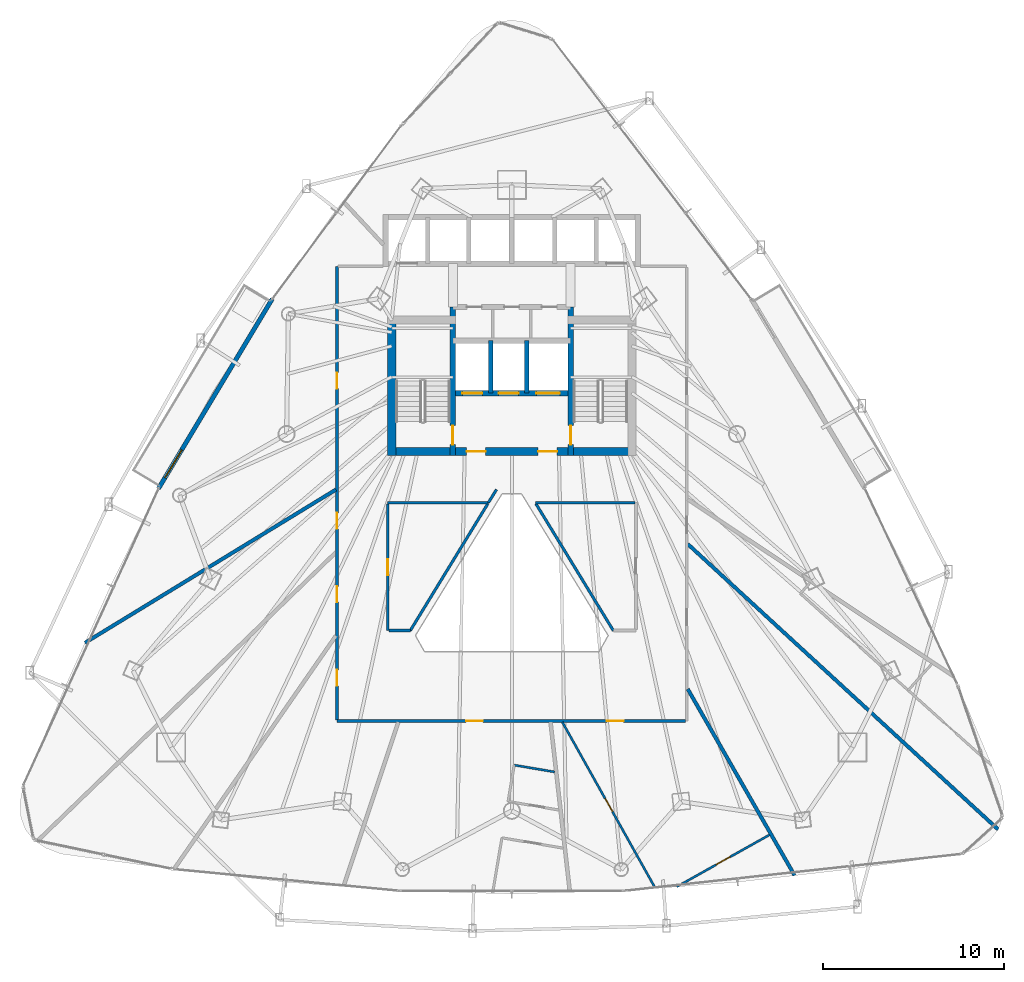
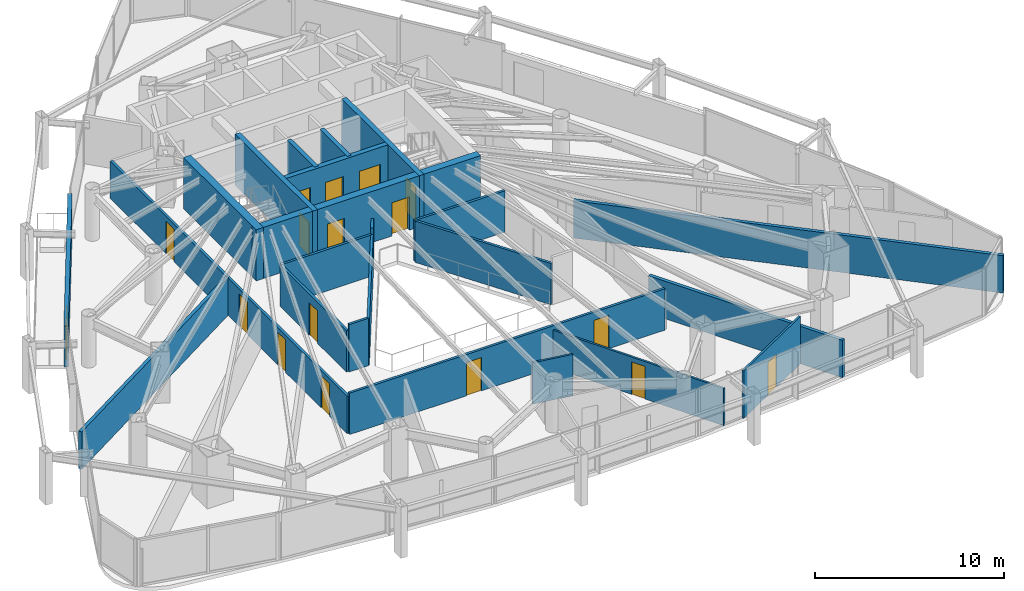
# One storey, part 28 of 33: 23 walls, 17 doors, 17 openings.
"""IFC4 building model written with IfcOpenShell, lengths in metres."""

from ifc_helpers import new_model, si_unit, direction, frame, frame_2d, origin, place, context, subcontext, project, spatial, rectangle, extrude, material, layer, layer_set, type_object, element, fill, save


model = new_model("IFC4")

# Units and contexts
model_context = context("Model", 3, precision=1e-05, world=origin(), true_north=direction((0.0, 1.0)))
body_context = subcontext(model_context, "Body", "Model", "MODEL_VIEW")
ifc_project = project(units=[si_unit("LENGTHUNIT", "METRE"), si_unit("AREAUNIT", "SQUARE_METRE"), si_unit("VOLUMEUNIT", "CUBIC_METRE"), si_unit("PLANEANGLEUNIT", "RADIAN"), si_unit("MASSUNIT", "GRAM", prefix="KILO")], contexts=[model_context])

# Site, building, storey
site_placement = place(None, origin())
site = spatial("IfcSite", under=ifc_project, at=site_placement, CompositionType="ELEMENT")
building_placement = place(site_placement, origin())
building = spatial("IfcBuilding", under=site, at=building_placement, Name="Orvanel Arch Residences", CompositionType="ELEMENT")
storey_placement = place(building_placement, frame((0.0, 0.0, 90.64990234375)))
storey = spatial("IfcBuildingStorey", under=building, at=storey_placement, Name="L25", CompositionType="ELEMENT", Elevation=90.64990234375)

# Wall, opening, door
ifc_material_1 = material(Name="Precast concrete N50 (50 MPa)", Category="concrete")
ifc_layer_1 = layer(ifc_material_1, 0.239990234375)
ifc_layer_set_1 = layer_set([ifc_layer_1], Name="Precast concrete N50 (50 MPa)")
wall_type_1 = type_object("IfcWallType", Name="EW-BAL-240", PredefinedType="SOLIDWALL", material=ifc_layer_set_1)
wall_1_placement = place(storey_placement, frame((19.782958984375, 35.10791015625, 0.0), z_axis=(0.0, 0.0, 1.0), x_axis=(-0.514369419392, -0.857568714678, 0.0)))
wall_1 = element("IfcWall", 1, at=wall_1_placement, inside=storey, type_object=wall_type_1, Name="L25 Balcony Threshold Wall Face 1", PredefinedType="SOLIDWALL", context=body_context, shape_type="SweptSolid", body=[
    extrude(rectangle(XDim=12.220458984375, YDim=0.239990234375, at=frame_2d((6.1103515625, 0.0))), origin(), (0.0, 0.0, 1.0), 2.6240234375),
])
opening_1_placement = place(wall_1_placement, frame((9.722900390625, 0.0, 0.0)))
opening_1 = element("IfcOpeningElement", 2, at=opening_1_placement, cuts=wall_1, Name="Opening DB-180", PredefinedType="OPENING", context=body_context, shape_type="SweptSolid", body=[
    extrude(rectangle(XDim=1.800048828125, YDim=2.199951171875, at=frame_2d((0.89990234375, 1.10009765625))), frame((0.0, 0.1298828125, 0.0), z_axis=(0.0, -1.0, 0.0), x_axis=(1.0, 0.0, 0.0)), (0.0, 0.0, 1.0), 0.260009765625),
])
ifc_material_2 = material(Name="Bronze-anodised aluminium AA6063-T6", Category="aluminium")
door_type_1 = type_object("IfcDoorType", Name="DR-BAL-1800", OperationType="NOTDEFINED", PredefinedType="DOOR", material=ifc_material_2)
door_1_placement = place(opening_1_placement, origin())
door_1 = element("IfcDoor", 3, at=door_1_placement, inside=storey, type_object=door_type_1, Name="DR-L25-BAL-F1 L25 Planted Balcony Access Door Face 1", OperationType="SINGLE_SWING_LEFT", OverallHeight=2.199951171875, OverallWidth=1.800048828125, PredefinedType="DOOR", context=body_context, shape_type="SweptSolid", body=[
    extrude(rectangle(XDim=1.800048828125, YDim=2.199951171875, at=frame_2d((0.89990234375, 1.10009765625))), frame((0.0, 0.02490234375, 0.0), z_axis=(0.0, -1.0, 0.0), x_axis=(1.0, 0.0, 0.0)), (0.0, 0.0, 1.0), 0.050048828125),
])
fill(opening_1, door_1)

# Walls
ifc_material_3 = material(Name="Concrete N50 (50 MPa)", Category="concrete")
ifc_layer_2 = layer(ifc_material_3, 0.25)
ifc_layer_set_2 = layer_set([ifc_layer_2], Name="Concrete N50 (50 MPa)")
wall_type_2 = type_object("IfcWallType", Name="SW-CORE-250", PredefinedType="SHEAR", material=ifc_layer_set_2)
for number, where, z_axis, x_axis, name in (
    (4, (31.824951171875, 29.89990234375, 0.0), (0.0, 0.0, 1.0), (0.0, 1.0, 0.0), "L25 Emergency Lift Inter-Shaft Wall F12"),
    (5, (33.824951171875, 29.89990234375, 0.0), (0.0, 0.0, 1.0), (0.0, 1.0, 0.0), "L25 Emergency Lift Inter-Shaft Wall F2G"),
):
    element("IfcWall", number, at=place(storey_placement, frame(where, z_axis=z_axis, x_axis=x_axis)), inside=storey, type_object=wall_type_2, Name=name, PredefinedType="SHEAR", context=body_context, shape_type="SweptSolid", body=[
        extrude(rectangle(XDim=2.900146484375, YDim=0.25, at=frame_2d((1.4501953125, 0.0))), origin(), (0.0, 0.0, 1.0), 3.300048828125),
    ])

# Wall, opening, door
ifc_material_4 = material(Name="Concrete S80 (80 MPa)", Category="concrete")
ifc_layer_3 = layer(ifc_material_4, 0.300048828125)
ifc_layer_set_3 = layer_set([ifc_layer_3], Name="Concrete S80 (80 MPa)")
wall_type_3 = type_object("IfcWallType", Name="SW-CORE-300", PredefinedType="SHEAR", material=ifc_layer_set_3)
wall_2_placement = place(storey_placement, frame((29.75, 26.449951171875, 0.0), z_axis=(0.0, 0.0, 1.0), x_axis=(0.0, 1.0, 0.0)))
wall_2 = element("IfcWall", 6, at=wall_2_placement, inside=storey, type_object=wall_type_3, Name="L25 West Inner Core Spine Shear Wall", PredefinedType="SHEAR", context=body_context, shape_type="SweptSolid", body=[
    extrude(rectangle(XDim=8.199951171875, YDim=0.300048828125, at=frame_2d((4.10009765625, 0.0))), origin(), (0.0, 0.0, 1.0), 3.300048828125),
])
opening_2_placement = place(wall_2_placement, frame((0.60009765625, 0.0, 0.0)))
opening_2 = element("IfcOpeningElement", 7, at=opening_2_placement, cuts=wall_2, Name="Opening DF-120", PredefinedType="OPENING", context=body_context, shape_type="SweptSolid", body=[
    extrude(rectangle(XDim=1.050048828125, YDim=2.14990234375, at=frame_2d((0.52490234375, 1.074951171875))), frame((0.0, 0.159912109375, 0.0), z_axis=(0.0, -1.0, 0.0), x_axis=(1.0, 0.0, 0.0)), (0.0, 0.0, 1.0), 0.320068359375),
])
ifc_material_5 = material(Name="Galvanised steel fire-resisting door assembly", Category="steel")
door_type_2 = type_object("IfcDoorType", Name="DR-FD120-1050", OperationType="NOTDEFINED", PredefinedType="DOOR", material=ifc_material_5)
door_2_placement = place(opening_2_placement, origin())
door_2 = element("IfcDoor", 8, at=door_2_placement, inside=storey, type_object=door_type_2, Name="DR-L25-ST1 L25 Stair 1 Fire Door", OperationType="SINGLE_SWING_LEFT", OverallHeight=2.14990234375, OverallWidth=1.050048828125, PredefinedType="DOOR", context=body_context, shape_type="SweptSolid", body=[
    extrude(rectangle(XDim=1.050048828125, YDim=2.14990234375, at=frame_2d((0.52490234375, 1.074951171875))), frame((0.0, 0.02490234375, 0.0), z_axis=(0.0, -1.0, 0.0), x_axis=(1.0, 0.0, 0.0)), (0.0, 0.0, 1.0), 0.050048828125),
])
fill(opening_2, door_2)

wall_3_placement = place(storey_placement, frame((36.25, 26.449951171875, 0.0), z_axis=(0.0, 0.0, 1.0), x_axis=(0.0, 1.0, 0.0)))
wall_3 = element("IfcWall", 9, at=wall_3_placement, inside=storey, type_object=wall_type_3, Name="L25 East Inner Core Spine Shear Wall", PredefinedType="SHEAR", context=body_context, shape_type="SweptSolid", body=[
    extrude(rectangle(XDim=8.199951171875, YDim=0.300048828125, at=frame_2d((4.10009765625, 0.0))), origin(), (0.0, 0.0, 1.0), 3.300048828125),
])
opening_3_placement = place(wall_3_placement, frame((0.60009765625, 0.0, 0.0)))
opening_3 = element("IfcOpeningElement", 10, at=opening_3_placement, cuts=wall_3, Name="Opening DF-120", PredefinedType="OPENING", context=body_context, shape_type="SweptSolid", body=[
    extrude(rectangle(XDim=1.050048828125, YDim=2.14990234375, at=frame_2d((0.52490234375, 1.074951171875))), frame((0.0, 0.159912109375, 0.0), z_axis=(0.0, -1.0, 0.0), x_axis=(1.0, 0.0, 0.0)), (0.0, 0.0, 1.0), 0.320068359375),
])
door_3_placement = place(opening_3_placement, origin())
door_3 = element("IfcDoor", 11, at=door_3_placement, inside=storey, type_object=door_type_2, Name="DR-L25-ST2 L25 Stair 2 Fire Door", OperationType="SINGLE_SWING_RIGHT", OverallHeight=2.14990234375, OverallWidth=1.050048828125, PredefinedType="DOOR", context=body_context, shape_type="SweptSolid", body=[
    extrude(rectangle(XDim=1.050048828125, YDim=2.14990234375, at=frame_2d((0.52490234375, 1.074951171875))), frame((0.0, 0.02490234375, 0.0), z_axis=(0.0, -1.0, 0.0), x_axis=(1.0, 0.0, 0.0)), (0.0, 0.0, 1.0), 0.050048828125),
])
fill(opening_3, door_3)

# Wall, openings, doors
wall_4_placement = place(storey_placement, frame((36.25, 29.89990234375, 0.0), z_axis=(0.0, 0.0, 1.0), x_axis=(-1.0, 0.0, 0.0)))
wall_4 = element("IfcWall", 12, at=wall_4_placement, inside=storey, type_object=wall_type_3, Name="L25 Emergency Lift Front Core Shear Wall", PredefinedType="SHEAR", context=body_context, shape_type="SweptSolid", body=[
    extrude(rectangle(XDim=6.5, YDim=0.300048828125, at=frame_2d((3.25, 0.0))), origin(), (0.0, 0.0, 1.0), 3.300048828125),
])
opening_4_placement = place(wall_4_placement, frame((4.875, 0.0, 0.0)))
opening_4 = element("IfcOpeningElement", 13, at=opening_4_placement, cuts=wall_4, Name="Opening LD-110", PredefinedType="OPENING", context=body_context, shape_type="SweptSolid", body=[
    extrude(rectangle(XDim=1.10009765625, YDim=2.199951171875, at=frame_2d((0.550048828125, 1.10009765625))), frame((0.0, 0.159912109375, 0.0), z_axis=(0.0, -1.0, 0.0), x_axis=(1.0, 0.0, 0.0)), (0.0, 0.0, 1.0), 0.320068359375),
])
opening_5_placement = place(wall_4_placement, frame((2.875, 0.0, 0.0)))
opening_5 = element("IfcOpeningElement", 14, at=opening_5_placement, cuts=wall_4, Name="Opening LD-110", PredefinedType="OPENING", context=body_context, shape_type="SweptSolid", body=[
    extrude(rectangle(XDim=1.10009765625, YDim=2.199951171875, at=frame_2d((0.550048828125, 1.10009765625))), frame((0.0, 0.159912109375, 0.0), z_axis=(0.0, -1.0, 0.0), x_axis=(1.0, 0.0, 0.0)), (0.0, 0.0, 1.0), 0.320068359375),
])
opening_6_placement = place(wall_4_placement, frame((0.60009765625, 0.0, 0.0)))
opening_6 = element("IfcOpeningElement", 15, at=opening_6_placement, cuts=wall_4, Name="Opening LD-130", PredefinedType="OPENING", context=body_context, shape_type="SweptSolid", body=[
    extrude(rectangle(XDim=1.300048828125, YDim=2.199951171875, at=frame_2d((0.64990234375, 1.10009765625))), frame((0.0, 0.159912109375, 0.0), z_axis=(0.0, -1.0, 0.0), x_axis=(1.0, 0.0, 0.0)), (0.0, 0.0, 1.0), 0.320068359375),
])
door_type_3 = type_object("IfcDoorType", Name="DR-LFT-1100", OperationType="NOTDEFINED", PredefinedType="DOOR", material=ifc_material_5)
door_4_placement = place(opening_4_placement, origin())
door_4 = element("IfcDoor", 16, at=door_4_placement, inside=storey, type_object=door_type_3, Name="LD-F1-L25 L25 Lift F1 Sliding Landing Door", OperationType="DOUBLE_DOOR_SLIDING", OverallHeight=2.199951171875, OverallWidth=1.10009765625, PredefinedType="DOOR", context=body_context, shape_type="SweptSolid", body=[
    extrude(rectangle(XDim=1.10009765625, YDim=2.199951171875, at=frame_2d((0.550048828125, 1.10009765625))), frame((0.0, 0.02490234375, 0.0), z_axis=(0.0, -1.0, 0.0), x_axis=(1.0, 0.0, 0.0)), (0.0, 0.0, 1.0), 0.050048828125),
])
fill(opening_4, door_4)
door_5_placement = place(opening_5_placement, origin())
door_5 = element("IfcDoor", 17, at=door_5_placement, inside=storey, type_object=door_type_3, Name="LD-F2-L25 L25 Lift F2 Sliding Landing Door", OperationType="DOUBLE_DOOR_SLIDING", OverallHeight=2.199951171875, OverallWidth=1.10009765625, PredefinedType="DOOR", context=body_context, shape_type="SweptSolid", body=[
    extrude(rectangle(XDim=1.10009765625, YDim=2.199951171875, at=frame_2d((0.550048828125, 1.10009765625))), frame((0.0, 0.02490234375, 0.0), z_axis=(0.0, -1.0, 0.0), x_axis=(1.0, 0.0, 0.0)), (0.0, 0.0, 1.0), 0.050048828125),
])
fill(opening_5, door_5)
door_type_4 = type_object("IfcDoorType", Name="DR-LFT-1300", OperationType="NOTDEFINED", PredefinedType="DOOR", material=ifc_material_5)
door_6_placement = place(opening_6_placement, origin())
door_6 = element("IfcDoor", 18, at=door_6_placement, inside=storey, type_object=door_type_4, Name="LD-G1-L25 L25 Lift G1 Sliding Landing Door", OperationType="DOUBLE_DOOR_SLIDING", OverallHeight=2.199951171875, OverallWidth=1.300048828125, PredefinedType="DOOR", context=body_context, shape_type="SweptSolid", body=[
    extrude(rectangle(XDim=1.300048828125, YDim=2.199951171875, at=frame_2d((0.64990234375, 1.10009765625))), frame((0.0, 0.02490234375, 0.0), z_axis=(0.0, -1.0, 0.0), x_axis=(1.0, 0.0, 0.0)), (0.0, 0.0, 1.0), 0.050048828125),
])
fill(opening_6, door_6)

ifc_layer_4 = layer(ifc_material_4, 0.449951171875)
ifc_layer_set_4 = layer_set([ifc_layer_4], Name="Concrete S80 (80 MPa)")
wall_type_4 = type_object("IfcWallType", Name="SW-CORE-450", PredefinedType="SHEAR", material=ifc_layer_set_4)
wall_5_placement = place(storey_placement, frame((26.14990234375, 26.675048828125, 0.0), z_axis=(0.0, 0.0, 1.0), x_axis=(1.0, 0.0, 0.0)))
wall_5 = element("IfcWall", 19, at=wall_5_placement, inside=storey, type_object=wall_type_4, Name="L25 South Core Shear Wall", PredefinedType="SHEAR", context=body_context, shape_type="SweptSolid", body=[
    extrude(rectangle(XDim=13.7001953125, YDim=0.449951171875, at=frame_2d((6.85009765625, 0.0))), origin(), (0.0, 0.0, 1.0), 3.300048828125),
])
opening_7_placement = place(wall_5_placement, frame((4.35009765625, 0.0, 0.0)))
opening_7 = element("IfcOpeningElement", 20, at=opening_7_placement, cuts=wall_5, Name="Opening DF-060", PredefinedType="OPENING", context=body_context, shape_type="SweptSolid", body=[
    extrude(rectangle(XDim=1.050048828125, YDim=2.14990234375, at=frame_2d((0.52490234375, 1.074951171875))), frame((0.0, 0.23486328125, 0.0), z_axis=(0.0, -1.0, 0.0), x_axis=(1.0, 0.0, 0.0)), (0.0, 0.0, 1.0), 0.469970703125),
])
opening_8_placement = place(wall_5_placement, frame((8.300048828125, 0.0, 0.0)))
opening_8 = element("IfcOpeningElement", 21, at=opening_8_placement, cuts=wall_5, Name="Opening DF-060", PredefinedType="OPENING", context=body_context, shape_type="SweptSolid", body=[
    extrude(rectangle(XDim=1.050048828125, YDim=2.14990234375, at=frame_2d((0.52490234375, 1.074951171875))), frame((0.0, 0.23486328125, 0.0), z_axis=(0.0, -1.0, 0.0), x_axis=(1.0, 0.0, 0.0)), (0.0, 0.0, 1.0), 0.469970703125),
])
door_type_5 = type_object("IfcDoorType", Name="DR-FD60-1050", OperationType="NOTDEFINED", PredefinedType="DOOR", material=ifc_material_5)
door_7_placement = place(opening_7_placement, origin())
door_7 = element("IfcDoor", 22, at=door_7_placement, inside=storey, type_object=door_type_5, Name="DR-L25-FFL-W L25 West Smoke Lobby Door", OperationType="SINGLE_SWING_LEFT", OverallHeight=2.14990234375, OverallWidth=1.050048828125, PredefinedType="DOOR", context=body_context, shape_type="SweptSolid", body=[
    extrude(rectangle(XDim=1.050048828125, YDim=2.14990234375, at=frame_2d((0.52490234375, 1.074951171875))), frame((0.0, 0.02490234375, 0.0), z_axis=(0.0, -1.0, 0.0), x_axis=(1.0, 0.0, 0.0)), (0.0, 0.0, 1.0), 0.050048828125),
])
fill(opening_7, door_7)
door_8_placement = place(opening_8_placement, origin())
door_8 = element("IfcDoor", 23, at=door_8_placement, inside=storey, type_object=door_type_5, Name="DR-L25-FFL-E L25 East Smoke Lobby Door", OperationType="SINGLE_SWING_RIGHT", OverallHeight=2.14990234375, OverallWidth=1.050048828125, PredefinedType="DOOR", context=body_context, shape_type="SweptSolid", body=[
    extrude(rectangle(XDim=1.050048828125, YDim=2.14990234375, at=frame_2d((0.52490234375, 1.074951171875))), frame((0.0, 0.02490234375, 0.0), z_axis=(0.0, -1.0, 0.0), x_axis=(1.0, 0.0, 0.0)), (0.0, 0.0, 1.0), 0.050048828125),
])
fill(opening_8, door_8)

# Wall
wall_6_placement = place(storey_placement, frame((26.375, 26.449951171875, 0.0), z_axis=(0.0, 0.0, 1.0), x_axis=(0.0, 1.0, 0.0)))
element("IfcWall", 24, at=wall_6_placement, inside=storey, type_object=wall_type_4, Name="L25 West Stair Shear Wall", PredefinedType="SHEAR", context=body_context, shape_type="SweptSolid", body=[
    extrude(rectangle(XDim=7.699951171875, YDim=0.449951171875, at=frame_2d((3.85009765625, 0.0))), origin(), (0.0, 0.0, 1.0), 3.300048828125),
])

# Wall, openings, doors
ifc_material_6 = material(Name="Fire-rated plasterboard lined steel stud partition", Category="steel")
ifc_layer_5 = layer(ifc_material_6, 0.14990234375)
ifc_layer_set_5 = layer_set([ifc_layer_5], Name="Fire-rated plasterboard lined steel stud partition")
wall_type_5 = type_object("IfcWallType", Name="W-COR-150", PredefinedType="PARTITIONING", material=ifc_layer_set_5)
wall_7_placement = place(storey_placement, frame((42.590087890625, 11.800048828125, 0.0), z_axis=(0.0, 0.0, 1.0), x_axis=(-1.0, 0.0, 0.0)))
wall_7 = element("IfcWall", 25, at=wall_7_placement, inside=storey, type_object=wall_type_5, Name="L25 Corridor Fire-Rated Partition", PredefinedType="PARTITIONING", context=body_context, shape_type="SweptSolid", body=[
    extrude(rectangle(XDim=19.239990234375, YDim=0.14990234375, at=frame_2d((9.6201171875, 0.0))), origin(), (0.0, 0.0, 1.0), 2.669189453125),
])
opening_9_placement = place(wall_7_placement, frame((11.19189453125, 0.0, 0.0)))
opening_9 = element("IfcOpeningElement", 26, at=opening_9_placement, cuts=wall_7, Name="Opening DA-092", PredefinedType="OPENING", context=body_context, shape_type="SweptSolid", body=[
    extrude(rectangle(XDim=0.919921875, YDim=2.14990234375, at=frame_2d((0.4599609375, 1.074951171875))), frame((0.0, 0.0849609375, 0.0), z_axis=(0.0, -1.0, 0.0), x_axis=(1.0, 0.0, 0.0)), (0.0, 0.0, 1.0), 0.169921875),
])
opening_10_placement = place(wall_7_placement, frame((3.419921875, 0.0, 0.0)))
opening_10 = element("IfcOpeningElement", 27, at=opening_10_placement, cuts=wall_7, Name="Opening DA-092", PredefinedType="OPENING", context=body_context, shape_type="SweptSolid", body=[
    extrude(rectangle(XDim=0.919921875, YDim=2.14990234375, at=frame_2d((0.4599609375, 1.074951171875))), frame((0.0, 0.0849609375, 0.0), z_axis=(0.0, -1.0, 0.0), x_axis=(1.0, 0.0, 0.0)), (0.0, 0.0, 1.0), 0.169921875),
])
ifc_material_7 = material(Name="Solid-core European oak veneer fire door leaf", Category="wood")
door_type_6 = type_object("IfcDoorType", Name="DR-APT-920", OperationType="NOTDEFINED", PredefinedType="DOOR", material=ifc_material_7)
door_9_placement = place(opening_9_placement, origin())
door_9 = element("IfcDoor", 28, at=door_9_placement, inside=storey, type_object=door_type_6, Name="DR-L25-C-ENT L25 Studio C Entrance Door", OperationType="SINGLE_SWING_RIGHT", OverallHeight=2.14990234375, OverallWidth=0.919921875, PredefinedType="DOOR", context=body_context, shape_type="SweptSolid", body=[
    extrude(rectangle(XDim=0.919921875, YDim=2.14990234375, at=frame_2d((0.4599609375, 1.074951171875))), frame((0.0, 0.02490234375, 0.0), z_axis=(0.0, -1.0, 0.0), x_axis=(1.0, 0.0, 0.0)), (0.0, 0.0, 1.0), 0.050048828125),
])
fill(opening_9, door_9)
door_10_placement = place(opening_10_placement, origin())
door_10 = element("IfcDoor", 29, at=door_10_placement, inside=storey, type_object=door_type_6, Name="DR-L25-D-ENT L25 Studio D Entrance Door", OperationType="SINGLE_SWING_LEFT", OverallHeight=2.14990234375, OverallWidth=0.919921875, PredefinedType="DOOR", context=body_context, shape_type="SweptSolid", body=[
    extrude(rectangle(XDim=0.919921875, YDim=2.14990234375, at=frame_2d((0.4599609375, 1.074951171875))), frame((0.0, 0.02490234375, 0.0), z_axis=(0.0, -1.0, 0.0), x_axis=(1.0, 0.0, 0.0)), (0.0, 0.0, 1.0), 0.050048828125),
])
fill(opening_10, door_10)

wall_8_placement = place(storey_placement, frame((23.35009765625, 11.860107421875, 0.0), z_axis=(0.0, 0.0, 1.0), x_axis=(0.0, 1.0, 0.0)))
wall_8 = element("IfcWall", 30, at=wall_8_placement, inside=storey, type_object=wall_type_5, Name="L25 Corridor Fire-Rated Partition", PredefinedType="PARTITIONING", context=body_context, shape_type="SweptSolid", body=[
    extrude(rectangle(XDim=25.039794921875, YDim=0.14990234375, at=frame_2d((12.52001953125, 0.0))), origin(), (0.0, 0.0, 1.0), 2.4130859375),
])
opening_11_placement = place(wall_8_placement, frame((18.284912109375, 0.0, 0.0)))
opening_11 = element("IfcOpeningElement", 31, at=opening_11_placement, cuts=wall_8, Name="Opening DI-088", PredefinedType="OPENING", context=body_context, shape_type="SweptSolid", body=[
    extrude(rectangle(XDim=0.8798828125, YDim=2.10009765625, at=frame_2d((0.43994140625, 1.050048828125))), frame((0.0, 0.0849609375, 0.0), z_axis=(0.0, -1.0, 0.0), x_axis=(1.0, 0.0, 0.0)), (0.0, 0.0, 1.0), 0.169921875),
])
opening_12_placement = place(wall_8_placement, frame((10.544921875, 0.0, 0.0)))
opening_12 = element("IfcOpeningElement", 32, at=opening_12_placement, cuts=wall_8, Name="Opening DI-088", PredefinedType="OPENING", context=body_context, shape_type="SweptSolid", body=[
    extrude(rectangle(XDim=0.8798828125, YDim=2.10009765625, at=frame_2d((0.43994140625, 1.050048828125))), frame((0.0, 0.0849609375, 0.0), z_axis=(0.0, -1.0, 0.0), x_axis=(1.0, 0.0, 0.0)), (0.0, 0.0, 1.0), 0.169921875),
])
opening_13_placement = place(wall_8_placement, frame((6.49609375, 0.0, 0.0)))
opening_13 = element("IfcOpeningElement", 33, at=opening_13_placement, cuts=wall_8, Name="Opening DI-088", PredefinedType="OPENING", context=body_context, shape_type="SweptSolid", body=[
    extrude(rectangle(XDim=0.8798828125, YDim=2.10009765625, at=frame_2d((0.43994140625, 1.050048828125))), frame((0.0, 0.0849609375, 0.0), z_axis=(0.0, -1.0, 0.0), x_axis=(1.0, 0.0, 0.0)), (0.0, 0.0, 1.0), 0.169921875),
])
opening_14_placement = place(wall_8_placement, frame((1.8798828125, 0.0, 0.0)))
opening_14 = element("IfcOpeningElement", 34, at=opening_14_placement, cuts=wall_8, Name="Opening DI-088", PredefinedType="OPENING", context=body_context, shape_type="SweptSolid", body=[
    extrude(rectangle(XDim=0.8798828125, YDim=2.10009765625, at=frame_2d((0.43994140625, 1.050048828125))), frame((0.0, 0.0849609375, 0.0), z_axis=(0.0, -1.0, 0.0), x_axis=(1.0, 0.0, 0.0)), (0.0, 0.0, 1.0), 0.169921875),
])
door_type_7 = type_object("IfcDoorType", Name="DR-INT-880", OperationType="NOTDEFINED", PredefinedType="DOOR", material=ifc_material_7)
door_11_placement = place(opening_11_placement, origin())
door_11 = element("IfcDoor", 35, at=door_11_placement, inside=storey, type_object=door_type_7, Name="DR-L25-SHRD-FB1 L25 Co-Working Study Office A Door", OperationType="SINGLE_SWING_LEFT", OverallHeight=2.10009765625, OverallWidth=0.8798828125, PredefinedType="DOOR", context=body_context, shape_type="SweptSolid", body=[
    extrude(rectangle(XDim=0.8798828125, YDim=2.10009765625, at=frame_2d((0.43994140625, 1.050048828125))), frame((0.0, 0.02490234375, 0.0), z_axis=(0.0, -1.0, 0.0), x_axis=(1.0, 0.0, 0.0)), (0.0, 0.0, 1.0), 0.050048828125),
])
fill(opening_11, door_11)
door_12_placement = place(opening_12_placement, origin())
door_12 = element("IfcDoor", 36, at=door_12_placement, inside=storey, type_object=door_type_7, Name="DR-L25-SHRD-FB2 L25 Co-Working Study Office B Door", OperationType="SINGLE_SWING_LEFT", OverallHeight=2.10009765625, OverallWidth=0.8798828125, PredefinedType="DOOR", context=body_context, shape_type="SweptSolid", body=[
    extrude(rectangle(XDim=0.8798828125, YDim=2.10009765625, at=frame_2d((0.43994140625, 1.050048828125))), frame((0.0, 0.02490234375, 0.0), z_axis=(0.0, -1.0, 0.0), x_axis=(1.0, 0.0, 0.0)), (0.0, 0.0, 1.0), 0.050048828125),
])
fill(opening_12, door_12)
door_13_placement = place(opening_13_placement, origin())
door_13 = element("IfcDoor", 37, at=door_13_placement, inside=storey, type_object=door_type_7, Name="DR-L25-SHRD-FB5 L25 Co-Working Study Office E Door", OperationType="SINGLE_SWING_LEFT", OverallHeight=2.10009765625, OverallWidth=0.8798828125, PredefinedType="DOOR", context=body_context, shape_type="SweptSolid", body=[
    extrude(rectangle(XDim=0.8798828125, YDim=2.10009765625, at=frame_2d((0.43994140625, 1.050048828125))), frame((0.0, 0.02490234375, 0.0), z_axis=(0.0, -1.0, 0.0), x_axis=(1.0, 0.0, 0.0)), (0.0, 0.0, 1.0), 0.050048828125),
])
fill(opening_13, door_13)
door_14_placement = place(opening_14_placement, origin())
door_14 = element("IfcDoor", 38, at=door_14_placement, inside=storey, type_object=door_type_7, Name="DR-L25-SHRD-FB6 L25 Co-Working Study Office F Door", OperationType="SINGLE_SWING_LEFT", OverallHeight=2.10009765625, OverallWidth=0.8798828125, PredefinedType="DOOR", context=body_context, shape_type="SweptSolid", body=[
    extrude(rectangle(XDim=0.8798828125, YDim=2.10009765625, at=frame_2d((0.43994140625, 1.050048828125))), frame((0.0, 0.02490234375, 0.0), z_axis=(0.0, -1.0, 0.0), x_axis=(1.0, 0.0, 0.0)), (0.0, 0.0, 1.0), 0.050048828125),
])
fill(opening_14, door_14)

# Walls
wall_9_placement = place(storey_placement, frame((32.156005859375, 24.576904296875, 0.0), z_axis=(0.0, 0.0, 1.0), x_axis=(-0.526374279241, -0.850252973034, 0.0)))
element("IfcWall", 39, at=wall_9_placement, inside=storey, type_object=wall_type_5, Name="L25 Corridor Fire-Rated Partition", PredefinedType="PARTITIONING", context=body_context, shape_type="SweptSolid", body=[
    extrude(rectangle(XDim=0.854736328125, YDim=0.14990234375, at=frame_2d((0.42724609375, 0.0))), origin(), (0.0, 0.0, 1.0), 3.06005859375),
])
wall_10_placement = place(storey_placement, frame((31.7060546875, 23.85009765625, 0.0), z_axis=(0.0, 0.0, 1.0), x_axis=(-1.0, 0.0, 0.0)))
element("IfcWall", 40, at=wall_10_placement, inside=storey, type_object=wall_type_5, Name="L25 Corridor Fire-Rated Partition", PredefinedType="PARTITIONING", context=body_context, shape_type="SweptSolid", body=[
    extrude(rectangle(XDim=5.55615234375, YDim=0.14990234375, at=frame_2d((2.778076171875, 0.0))), origin(), (0.0, 0.0, 1.0), 2.669189453125),
])

# Wall, opening, door
wall_11_placement = place(storey_placement, frame((26.14990234375, 23.7900390625, 0.0), z_axis=(0.0, 0.0, 1.0), x_axis=(0.0, -1.0, 0.0)))
wall_11 = element("IfcWall", 41, at=wall_11_placement, inside=storey, type_object=wall_type_5, Name="L25 Corridor Fire-Rated Partition", PredefinedType="PARTITIONING", context=body_context, shape_type="SweptSolid", body=[
    extrude(rectangle(XDim=6.989990234375, YDim=0.14990234375, at=frame_2d((3.4951171875, 0.0))), origin(), (0.0, 0.0, 1.0), 2.669189453125),
])
opening_15_placement = place(wall_11_placement, frame((3.054931640625, 0.0, 0.0)))
opening_15 = element("IfcOpeningElement", 42, at=opening_15_placement, cuts=wall_11, Name="Opening DI-088", PredefinedType="OPENING", context=body_context, shape_type="SweptSolid", body=[
    extrude(rectangle(XDim=0.8798828125, YDim=2.10009765625, at=frame_2d((0.43994140625, 1.050048828125))), frame((0.0, 0.0849609375, 0.0), z_axis=(0.0, -1.0, 0.0), x_axis=(1.0, 0.0, 0.0)), (0.0, 0.0, 1.0), 0.169921875),
])
door_15_placement = place(opening_15_placement, origin())
door_15 = element("IfcDoor", 43, at=door_15_placement, inside=storey, type_object=door_type_7, Name="DR-L25-SHRD-FB9 L25 Co-Working Study Office I Door", OperationType="SINGLE_SWING_LEFT", OverallHeight=2.10009765625, OverallWidth=0.8798828125, PredefinedType="DOOR", context=body_context, shape_type="SweptSolid", body=[
    extrude(rectangle(XDim=0.8798828125, YDim=2.10009765625, at=frame_2d((0.43994140625, 1.050048828125))), frame((0.0, 0.02490234375, 0.0), z_axis=(0.0, -1.0, 0.0), x_axis=(1.0, 0.0, 0.0)), (0.0, 0.0, 1.0), 0.050048828125),
])
fill(opening_15, door_15)

# Walls
wall_12_placement = place(storey_placement, frame((26.2099609375, 16.800048828125, 0.0), z_axis=(0.0, 0.0, 1.0), x_axis=(1.0, 0.0, 0.0)))
element("IfcWall", 44, at=wall_12_placement, inside=storey, type_object=wall_type_5, Name="L25 Corridor Fire-Rated Partition", PredefinedType="PARTITIONING", context=body_context, shape_type="SweptSolid", body=[
    extrude(rectangle(XDim=1.18603515625, YDim=0.14990234375, at=frame_2d((0.593017578125, 0.0))), origin(), (0.0, 0.0, 1.0), 3.06005859375),
])
wall_13_placement = place(storey_placement, frame((39.7900390625, 23.85009765625, 0.0), z_axis=(0.0, 0.0, 1.0), x_axis=(-1.0, 0.0, 0.0)))
element("IfcWall", 45, at=wall_13_placement, inside=storey, type_object=wall_type_5, Name="L25 Corridor Fire-Rated Partition", PredefinedType="PARTITIONING", context=body_context, shape_type="SweptSolid", body=[
    extrude(rectangle(XDim=5.49609375, YDim=0.14990234375, at=frame_2d((2.748046875, 0.0))), origin(), (0.0, 0.0, 1.0), 2.669189453125),
])
wall_14_placement = place(storey_placement, frame((27.39599609375, 16.7900390625, 0.0), z_axis=(0.0, 0.0, 1.0), x_axis=(0.521563150989, 0.8532126813, 0.0)))
element("IfcWall", 46, at=wall_14_placement, inside=storey, type_object=wall_type_5, Name="L25 Atrium Overlook Glazed Partition", PredefinedType="PARTITIONING", context=body_context, shape_type="SweptSolid", body=[
    extrude(rectangle(XDim=8.204345703125, YDim=0.14990234375, at=frame_2d((4.10205078125, 0.0))), origin(), (0.0, 0.0, 1.0), 2.669189453125),
])
wall_15_placement = place(storey_placement, frame((34.3310546875, 23.7900390625, 0.0), z_axis=(0.0, 0.0, 1.0), x_axis=(0.52102126657, -0.853543695297, 0.0)))
element("IfcWall", 47, at=wall_15_placement, inside=storey, type_object=wall_type_5, Name="L25 Atrium Overlook Glazed Partition", PredefinedType="PARTITIONING", context=body_context, shape_type="SweptSolid", body=[
    extrude(rectangle(XDim=8.201171875, YDim=0.14990234375, at=frame_2d((4.1005859375, 0.0))), origin(), (0.0, 0.0, 1.0), 2.669189453125),
])
ifc_layer_6 = layer(ifc_material_6, 0.199951171875)
ifc_layer_set_6 = layer_set([ifc_layer_6], Name="Fire-rated plasterboard lined steel stud partition")
wall_type_6 = type_object("IfcWallType", Name="W-DEM-200", PredefinedType="PARTITIONING", material=ifc_layer_set_6)
wall_16_placement = place(storey_placement, frame((48.60791015625, 3.279052734375, 0.0), z_axis=(0.0, 0.0, 1.0), x_axis=(-0.497428948928, 0.867504720891, 0.0)))
element("IfcWall", 48, at=wall_16_placement, inside=storey, type_object=wall_type_6, Name="L25 Inter-Tenancy Acoustic Demising Wall", PredefinedType="PARTITIONING", context=body_context, shape_type="SweptSolid", body=[
    extrude(rectangle(XDim=11.85693359375, YDim=0.199951171875, at=frame_2d((5.928466796875, 0.0))), origin(), (0.0, 0.0, 1.0), 2.4130859375),
])
wall_17_placement = place(storey_placement, frame((42.7099609375, 21.570068359375, 0.0), z_axis=(0.0, 0.0, 1.0), x_axis=(0.736048495707, -0.67692880864, 0.0)))
element("IfcWall", 49, at=wall_17_placement, inside=storey, type_object=wall_type_6, Name="L25 Inter-Tenancy Acoustic Demising Wall", PredefinedType="PARTITIONING", context=body_context, shape_type="SweptSolid", body=[
    extrude(rectangle(XDim=23.2744140625, YDim=0.199951171875, at=frame_2d((11.63720703125, 0.0))), origin(), (0.0, 0.0, 1.0), 2.4130859375),
])
wall_18_placement = place(storey_placement, frame((23.2900390625, 24.571044921875, 0.0), z_axis=(0.0, 0.0, 1.0), x_axis=(-0.85350412057, -0.521086092858, 0.0)))
element("IfcWall", 50, at=wall_18_placement, inside=storey, type_object=wall_type_6, Name="L25 Inter-Tenancy Acoustic Demising Wall", PredefinedType="PARTITIONING", context=body_context, shape_type="SweptSolid", body=[
    extrude(rectangle(XDim=16.229736328125, YDim=0.199951171875, at=frame_2d((8.11474609375, 0.0))), origin(), (0.0, 0.0, 1.0), 2.4130859375),
])
ifc_material_8 = material(Name="Acoustic plasterboard lined twin-stud partition", Category="gypsum")
ifc_layer_7 = layer(ifc_material_8, 0.1201171875)
ifc_layer_set_7 = layer_set([ifc_layer_7], Name="Acoustic plasterboard lined twin-stud partition")
wall_type_7 = type_object("IfcWallType", Name="W-WET-120", PredefinedType="PARTITIONING", material=ifc_layer_set_7)
wall_19_placement = place(storey_placement, frame((35.364990234375, 8.989013671875, 0.0), z_axis=(0.0, 0.0, 1.0), x_axis=(-0.986047933852, 0.166461623646, 0.0)))
element("IfcWall", 51, at=wall_19_placement, inside=storey, type_object=wall_type_7, Name="L25 Studio C Bathroom Partition", PredefinedType="PARTITIONING", context=body_context, shape_type="SweptSolid", body=[
    extrude(rectangle(XDim=2.264404296875, YDim=0.1201171875, at=frame_2d((1.13232421875, 0.0))), origin(), (0.0, 0.0, 1.0), 2.669189453125),
])

# Wall, opening, door
wall_20_placement = place(storey_placement, frame((40.923095703125, 2.56689453125, 0.0), z_axis=(0.0, 0.0, 1.0), x_axis=(-0.4884640488, 0.872584020613, 0.0)))
wall_20 = element("IfcWall", 52, at=wall_20_placement, inside=storey, type_object=wall_type_7, Name="L25 Studio D Bathroom Partition", PredefinedType="PARTITIONING", context=body_context, shape_type="SweptSolid", body=[
    extrude(rectangle(XDim=10.512451171875, YDim=0.1201171875, at=frame_2d((5.25634765625, 0.0))), origin(), (0.0, 0.0, 1.0), 2.4130859375),
])
opening_16_placement = place(wall_20_placement, frame((4.845947265625, 0.0, 0.0)))
opening_16 = element("IfcOpeningElement", 53, at=opening_16_placement, cuts=wall_20, Name="Opening DW-082", PredefinedType="OPENING", context=body_context, shape_type="SweptSolid", body=[
    extrude(rectangle(XDim=0.820068359375, YDim=2.10009765625, at=frame_2d((0.41015625, 1.050048828125))), frame((0.0, 0.070068359375, 0.0), z_axis=(0.0, -1.0, 0.0), x_axis=(1.0, 0.0, 0.0)), (0.0, 0.0, 1.0), 0.14013671875),
])
door_type_8 = type_object("IfcDoorType", Name="DR-WET-820", OperationType="NOTDEFINED", PredefinedType="DOOR", material=ifc_material_7)
door_16_placement = place(opening_16_placement, origin())
door_16 = element("IfcDoor", 54, at=door_16_placement, inside=storey, type_object=door_type_8, Name="DR-L25-D-BATH L25 Studio D Bathroom Door", OperationType="SINGLE_SWING_RIGHT", OverallHeight=2.10009765625, OverallWidth=0.820068359375, PredefinedType="DOOR", context=body_context, shape_type="SweptSolid", body=[
    extrude(rectangle(XDim=0.820068359375, YDim=2.10009765625, at=frame_2d((0.41015625, 1.050048828125))), frame((0.0, 0.02490234375, 0.0), z_axis=(0.0, -1.0, 0.0), x_axis=(1.0, 0.0, 0.0)), (0.0, 0.0, 1.0), 0.050048828125),
])
fill(opening_16, door_16)

wall_21_placement = place(storey_placement, frame((47.22607421875, 5.51806640625, 0.0), z_axis=(0.0, 0.0, 1.0), x_axis=(-0.872551409816, -0.488522299622, 0.0)))
wall_21 = element("IfcWall", 55, at=wall_21_placement, inside=storey, type_object=wall_type_7, Name="L25 Studio D Internal Partition", PredefinedType="PARTITIONING", context=body_context, shape_type="SweptSolid", body=[
    extrude(rectangle(XDim=5.869140625, YDim=0.1201171875, at=frame_2d((2.9345703125, 0.0))), origin(), (0.0, 0.0, 1.0), 3.06005859375),
])
opening_17_placement = place(wall_21_placement, frame((2.493896484375, 0.0, 0.0)))
opening_17 = element("IfcOpeningElement", 56, at=opening_17_placement, cuts=wall_21, Name="Opening DI-088", PredefinedType="OPENING", context=body_context, shape_type="SweptSolid", body=[
    extrude(rectangle(XDim=0.8798828125, YDim=2.10009765625, at=frame_2d((0.43994140625, 1.050048828125))), frame((0.0, 0.070068359375, 0.0), z_axis=(0.0, -1.0, 0.0), x_axis=(1.0, 0.0, 0.0)), (0.0, 0.0, 1.0), 0.14013671875),
])
door_17_placement = place(opening_17_placement, origin())
door_17 = element("IfcDoor", 57, at=door_17_placement, inside=storey, type_object=door_type_7, Name="DR-L25-D-KIT L25 Studio D Kitchenette Door", OperationType="SINGLE_SWING_LEFT", OverallHeight=2.10009765625, OverallWidth=0.8798828125, PredefinedType="DOOR", context=body_context, shape_type="SweptSolid", body=[
    extrude(rectangle(XDim=0.8798828125, YDim=2.10009765625, at=frame_2d((0.43994140625, 1.050048828125))), frame((0.0, 0.02490234375, 0.0), z_axis=(0.0, -1.0, 0.0), x_axis=(1.0, 0.0, 0.0)), (0.0, 0.0, 1.0), 0.050048828125),
])
fill(opening_17, door_17)

save(model, "model.ifc")
